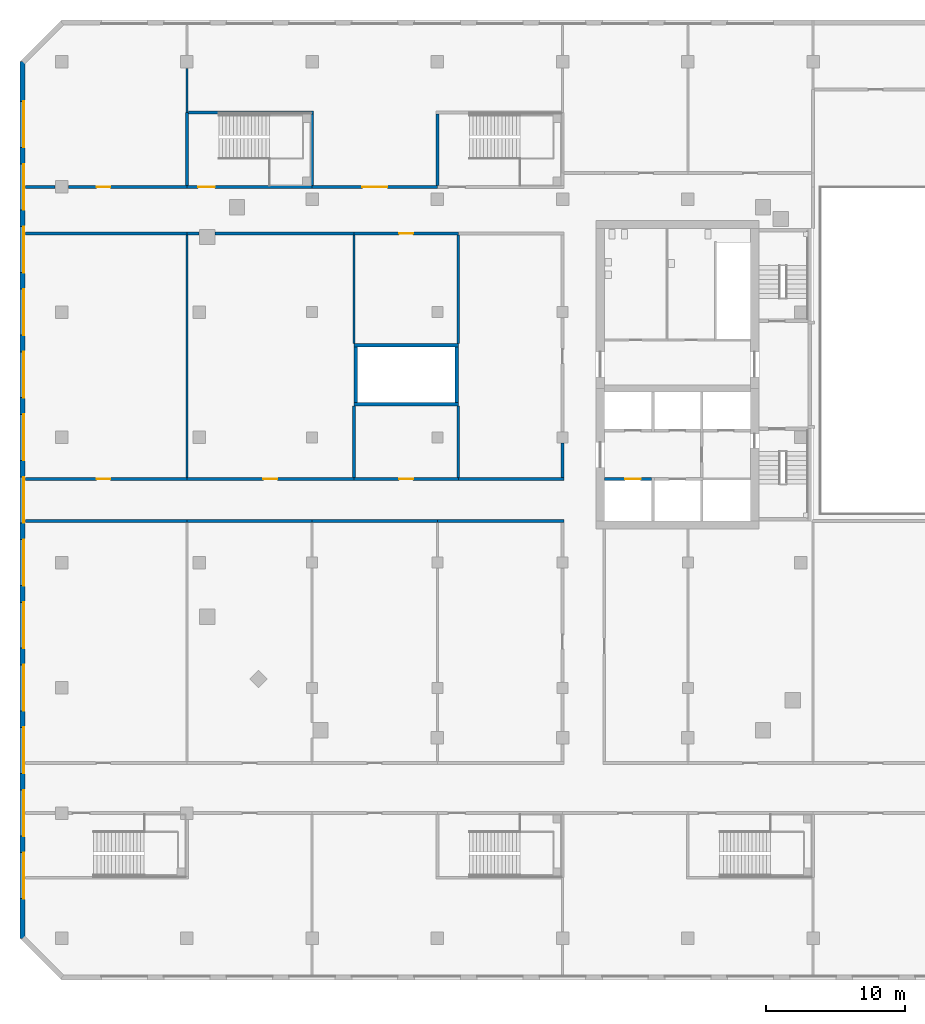
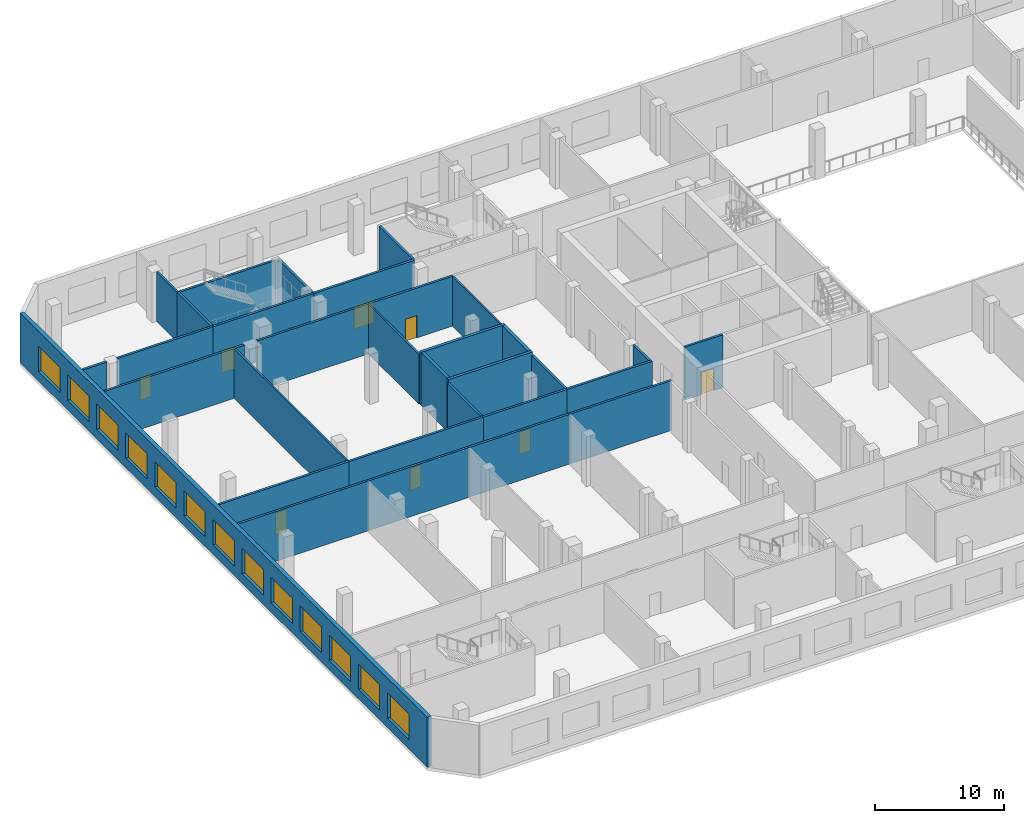
# One storey, part 5 of 21: 33 walls, 13 windows, 8 doors, 21 openings.
"""IFC4 building model written with IfcOpenShell, lengths in metres."""

from ifc_helpers import new_model, si_unit, direction, frame, frame_2d, origin, place, context, subcontext, project, spatial, rectangle, extrude, material, layer, layer_set, type_object, element, fill, save


model = new_model("IFC4")

# Units and contexts
model_context = context("Model", 3, precision=1e-05, world=origin(), true_north=direction((0.0, 1.0)))
body_context = subcontext(model_context, "Body", "Model", "MODEL_VIEW")
ifc_project = project(units=[si_unit("LENGTHUNIT", "METRE"), si_unit("AREAUNIT", "SQUARE_METRE"), si_unit("VOLUMEUNIT", "CUBIC_METRE"), si_unit("PLANEANGLEUNIT", "RADIAN"), si_unit("MASSUNIT", "GRAM", prefix="KILO")], contexts=[model_context])

# Site, building, storey
site_placement = place(None, origin())
site = spatial("IfcSite", under=ifc_project, at=site_placement, CompositionType="ELEMENT")
building_placement = place(site_placement, origin())
building = spatial("IfcBuilding", under=site, at=building_placement, Name="Cinnabar Reach Civic Tower", CompositionType="ELEMENT")
storey_placement = place(building_placement, frame((0.0, 0.0, 16.0)))
storey = spatial("IfcBuildingStorey", under=building, at=storey_placement, Name="L03", CompositionType="ELEMENT", Elevation=16.0)

# Wall, openings, windows
ifc_material_1 = material(Name="Facing brick with insulated backing", Category="masonry")
ifc_layer_1 = layer(ifc_material_1, 0.36)
ifc_layer_set_1 = layer_set([ifc_layer_1], Name="Brick pier and spandrel wall")
wall_type_1 = type_object("IfcWallType", Name="Brick pier and spandrel wall", PredefinedType="STANDARD", material=ifc_layer_set_1)
wall_1_placement = place(storey_placement, frame((-83.82, 54.0, 0.0), z_axis=(0.0, 0.0, 1.0), x_axis=(0.0, -1.0, 0.0)))
wall_1 = element("IfcWall", 1, at=wall_1_placement, inside=storey, type_object=wall_type_1, Name="Brick facade wall", PredefinedType="STANDARD", context=body_context, shape_type="SweptSolid", body=[
    extrude(rectangle(XDim=63.0, YDim=0.36, at=frame_2d((31.5, 0.0))), origin(), (0.0, 0.0, 1.0), 4.7),
])
opening_1_placement = place(wall_1_placement, frame((2.85, 0.0, 0.9)))
opening_1 = element("IfcOpeningElement", 2, at=opening_1_placement, cuts=wall_1, Name="Opening W3081", PredefinedType="OPENING", context=body_context, shape_type="SweptSolid", body=[
    extrude(rectangle(XDim=3.3, YDim=2.4, at=frame_2d((1.65, 1.2))), frame((0.0, 0.19, 0.0), z_axis=(0.0, -1.0, 0.0), x_axis=(1.0, 0.0, 0.0)), (0.0, 0.0, 1.0), 0.38),
])
opening_2_placement = place(wall_1_placement, frame((7.35, 0.0, 0.9)))
opening_2 = element("IfcOpeningElement", 3, at=opening_2_placement, cuts=wall_1, Name="Opening W3082", PredefinedType="OPENING", context=body_context, shape_type="SweptSolid", body=[
    extrude(rectangle(XDim=3.3, YDim=2.4, at=frame_2d((1.65, 1.2))), frame((0.0, 0.19, 0.0), z_axis=(0.0, -1.0, 0.0), x_axis=(1.0, 0.0, 0.0)), (0.0, 0.0, 1.0), 0.38),
])
opening_3_placement = place(wall_1_placement, frame((11.85, 0.0, 0.9)))
opening_3 = element("IfcOpeningElement", 4, at=opening_3_placement, cuts=wall_1, Name="Opening W3083", PredefinedType="OPENING", context=body_context, shape_type="SweptSolid", body=[
    extrude(rectangle(XDim=3.3, YDim=2.4, at=frame_2d((1.65, 1.2))), frame((0.0, 0.19, 0.0), z_axis=(0.0, -1.0, 0.0), x_axis=(1.0, 0.0, 0.0)), (0.0, 0.0, 1.0), 0.38),
])
opening_4_placement = place(wall_1_placement, frame((16.35, 0.0, 0.9)))
opening_4 = element("IfcOpeningElement", 5, at=opening_4_placement, cuts=wall_1, Name="Opening W3084", PredefinedType="OPENING", context=body_context, shape_type="SweptSolid", body=[
    extrude(rectangle(XDim=3.3, YDim=2.4, at=frame_2d((1.65, 1.2))), frame((0.0, 0.19, 0.0), z_axis=(0.0, -1.0, 0.0), x_axis=(1.0, 0.0, 0.0)), (0.0, 0.0, 1.0), 0.38),
])
opening_5_placement = place(wall_1_placement, frame((20.85, 0.0, 0.9)))
opening_5 = element("IfcOpeningElement", 6, at=opening_5_placement, cuts=wall_1, Name="Opening W3085", PredefinedType="OPENING", context=body_context, shape_type="SweptSolid", body=[
    extrude(rectangle(XDim=3.3, YDim=2.4, at=frame_2d((1.65, 1.2))), frame((0.0, 0.19, 0.0), z_axis=(0.0, -1.0, 0.0), x_axis=(1.0, 0.0, 0.0)), (0.0, 0.0, 1.0), 0.38),
])
opening_6_placement = place(wall_1_placement, frame((25.35, 0.0, 0.9)))
opening_6 = element("IfcOpeningElement", 7, at=opening_6_placement, cuts=wall_1, Name="Opening W3086", PredefinedType="OPENING", context=body_context, shape_type="SweptSolid", body=[
    extrude(rectangle(XDim=3.3, YDim=2.4, at=frame_2d((1.65, 1.2))), frame((0.0, 0.19, 0.0), z_axis=(0.0, -1.0, 0.0), x_axis=(1.0, 0.0, 0.0)), (0.0, 0.0, 1.0), 0.38),
])
opening_7_placement = place(wall_1_placement, frame((29.85, 0.0, 0.9)))
opening_7 = element("IfcOpeningElement", 8, at=opening_7_placement, cuts=wall_1, Name="Opening W3087", PredefinedType="OPENING", context=body_context, shape_type="SweptSolid", body=[
    extrude(rectangle(XDim=3.3, YDim=2.4, at=frame_2d((1.65, 1.2))), frame((0.0, 0.19, 0.0), z_axis=(0.0, -1.0, 0.0), x_axis=(1.0, 0.0, 0.0)), (0.0, 0.0, 1.0), 0.38),
])
opening_8_placement = place(wall_1_placement, frame((34.35, 0.0, 0.9)))
opening_8 = element("IfcOpeningElement", 9, at=opening_8_placement, cuts=wall_1, Name="Opening W3088", PredefinedType="OPENING", context=body_context, shape_type="SweptSolid", body=[
    extrude(rectangle(XDim=3.3, YDim=2.4, at=frame_2d((1.65, 1.2))), frame((0.0, 0.19, 0.0), z_axis=(0.0, -1.0, 0.0), x_axis=(1.0, 0.0, 0.0)), (0.0, 0.0, 1.0), 0.38),
])
opening_9_placement = place(wall_1_placement, frame((38.85, 0.0, 0.9)))
opening_9 = element("IfcOpeningElement", 10, at=opening_9_placement, cuts=wall_1, Name="Opening W3089", PredefinedType="OPENING", context=body_context, shape_type="SweptSolid", body=[
    extrude(rectangle(XDim=3.3, YDim=2.4, at=frame_2d((1.65, 1.2))), frame((0.0, 0.19, 0.0), z_axis=(0.0, -1.0, 0.0), x_axis=(1.0, 0.0, 0.0)), (0.0, 0.0, 1.0), 0.38),
])
opening_10_placement = place(wall_1_placement, frame((43.35, 0.0, 0.9)))
opening_10 = element("IfcOpeningElement", 11, at=opening_10_placement, cuts=wall_1, Name="Opening W3090", PredefinedType="OPENING", context=body_context, shape_type="SweptSolid", body=[
    extrude(rectangle(XDim=3.3, YDim=2.4, at=frame_2d((1.65, 1.2))), frame((0.0, 0.19, 0.0), z_axis=(0.0, -1.0, 0.0), x_axis=(1.0, 0.0, 0.0)), (0.0, 0.0, 1.0), 0.38),
])
opening_11_placement = place(wall_1_placement, frame((47.85, 0.0, 0.9)))
opening_11 = element("IfcOpeningElement", 12, at=opening_11_placement, cuts=wall_1, Name="Opening W3091", PredefinedType="OPENING", context=body_context, shape_type="SweptSolid", body=[
    extrude(rectangle(XDim=3.3, YDim=2.4, at=frame_2d((1.65, 1.2))), frame((0.0, 0.19, 0.0), z_axis=(0.0, -1.0, 0.0), x_axis=(1.0, 0.0, 0.0)), (0.0, 0.0, 1.0), 0.38),
])
opening_12_placement = place(wall_1_placement, frame((52.35, 0.0, 0.9)))
opening_12 = element("IfcOpeningElement", 13, at=opening_12_placement, cuts=wall_1, Name="Opening W3092", PredefinedType="OPENING", context=body_context, shape_type="SweptSolid", body=[
    extrude(rectangle(XDim=3.3, YDim=2.4, at=frame_2d((1.65, 1.2))), frame((0.0, 0.19, 0.0), z_axis=(0.0, -1.0, 0.0), x_axis=(1.0, 0.0, 0.0)), (0.0, 0.0, 1.0), 0.38),
])
opening_13_placement = place(wall_1_placement, frame((56.85, 0.0, 0.9)))
opening_13 = element("IfcOpeningElement", 14, at=opening_13_placement, cuts=wall_1, Name="Opening W3093", PredefinedType="OPENING", context=body_context, shape_type="SweptSolid", body=[
    extrude(rectangle(XDim=3.3, YDim=2.4, at=frame_2d((1.65, 1.2))), frame((0.0, 0.19, 0.0), z_axis=(0.0, -1.0, 0.0), x_axis=(1.0, 0.0, 0.0)), (0.0, 0.0, 1.0), 0.38),
])
ifc_material_2 = material(Name="Clear double glazing in aluminium frame", Category="aluminium")
window_type = type_object("IfcWindowType", Name="Podium window P", PartitioningType="SINGLE_PANEL", PredefinedType="WINDOW", material=ifc_material_2)
window_1_placement = place(opening_1_placement, origin())
window_1 = element("IfcWindow", 15, at=window_1_placement, inside=storey, type_object=window_type, Name="Window west face", OverallHeight=2.4, OverallWidth=3.3, PartitioningType="SINGLE_PANEL", PredefinedType="WINDOW", context=body_context, shape_type="SweptSolid", body=[
    extrude(rectangle(XDim=3.3, YDim=2.4, at=frame_2d((1.65, 1.2))), frame((0.0, 0.13, 0.0), z_axis=(0.0, -1.0, 0.0), x_axis=(1.0, 0.0, 0.0)), (0.0, 0.0, 1.0), 0.06),
])
fill(opening_1, window_1)
window_2_placement = place(opening_2_placement, origin())
window_2 = element("IfcWindow", 16, at=window_2_placement, inside=storey, type_object=window_type, Name="Window west face", OverallHeight=2.4, OverallWidth=3.3, PartitioningType="SINGLE_PANEL", PredefinedType="WINDOW", context=body_context, shape_type="SweptSolid", body=[
    extrude(rectangle(XDim=3.3, YDim=2.4, at=frame_2d((1.65, 1.2))), frame((0.0, 0.13, 0.0), z_axis=(0.0, -1.0, 0.0), x_axis=(1.0, 0.0, 0.0)), (0.0, 0.0, 1.0), 0.06),
])
fill(opening_2, window_2)
window_3_placement = place(opening_3_placement, origin())
window_3 = element("IfcWindow", 17, at=window_3_placement, inside=storey, type_object=window_type, Name="Window west face", OverallHeight=2.4, OverallWidth=3.3, PartitioningType="SINGLE_PANEL", PredefinedType="WINDOW", context=body_context, shape_type="SweptSolid", body=[
    extrude(rectangle(XDim=3.3, YDim=2.4, at=frame_2d((1.65, 1.2))), frame((0.0, 0.13, 0.0), z_axis=(0.0, -1.0, 0.0), x_axis=(1.0, 0.0, 0.0)), (0.0, 0.0, 1.0), 0.06),
])
fill(opening_3, window_3)
window_4_placement = place(opening_4_placement, origin())
window_4 = element("IfcWindow", 18, at=window_4_placement, inside=storey, type_object=window_type, Name="Window west face", OverallHeight=2.4, OverallWidth=3.3, PartitioningType="SINGLE_PANEL", PredefinedType="WINDOW", context=body_context, shape_type="SweptSolid", body=[
    extrude(rectangle(XDim=3.3, YDim=2.4, at=frame_2d((1.65, 1.2))), frame((0.0, 0.13, 0.0), z_axis=(0.0, -1.0, 0.0), x_axis=(1.0, 0.0, 0.0)), (0.0, 0.0, 1.0), 0.06),
])
fill(opening_4, window_4)
window_5_placement = place(opening_5_placement, origin())
window_5 = element("IfcWindow", 19, at=window_5_placement, inside=storey, type_object=window_type, Name="Window west face", OverallHeight=2.4, OverallWidth=3.3, PartitioningType="SINGLE_PANEL", PredefinedType="WINDOW", context=body_context, shape_type="SweptSolid", body=[
    extrude(rectangle(XDim=3.3, YDim=2.4, at=frame_2d((1.65, 1.2))), frame((0.0, 0.13, 0.0), z_axis=(0.0, -1.0, 0.0), x_axis=(1.0, 0.0, 0.0)), (0.0, 0.0, 1.0), 0.06),
])
fill(opening_5, window_5)
window_6_placement = place(opening_6_placement, origin())
window_6 = element("IfcWindow", 20, at=window_6_placement, inside=storey, type_object=window_type, Name="Window west face", OverallHeight=2.4, OverallWidth=3.3, PartitioningType="SINGLE_PANEL", PredefinedType="WINDOW", context=body_context, shape_type="SweptSolid", body=[
    extrude(rectangle(XDim=3.3, YDim=2.4, at=frame_2d((1.65, 1.2))), frame((0.0, 0.13, 0.0), z_axis=(0.0, -1.0, 0.0), x_axis=(1.0, 0.0, 0.0)), (0.0, 0.0, 1.0), 0.06),
])
fill(opening_6, window_6)
window_7_placement = place(opening_7_placement, origin())
window_7 = element("IfcWindow", 21, at=window_7_placement, inside=storey, type_object=window_type, Name="Window west face", OverallHeight=2.4, OverallWidth=3.3, PartitioningType="SINGLE_PANEL", PredefinedType="WINDOW", context=body_context, shape_type="SweptSolid", body=[
    extrude(rectangle(XDim=3.3, YDim=2.4, at=frame_2d((1.65, 1.2))), frame((0.0, 0.13, 0.0), z_axis=(0.0, -1.0, 0.0), x_axis=(1.0, 0.0, 0.0)), (0.0, 0.0, 1.0), 0.06),
])
fill(opening_7, window_7)
window_8_placement = place(opening_8_placement, origin())
window_8 = element("IfcWindow", 22, at=window_8_placement, inside=storey, type_object=window_type, Name="Window west face", OverallHeight=2.4, OverallWidth=3.3, PartitioningType="SINGLE_PANEL", PredefinedType="WINDOW", context=body_context, shape_type="SweptSolid", body=[
    extrude(rectangle(XDim=3.3, YDim=2.4, at=frame_2d((1.65, 1.2))), frame((0.0, 0.13, 0.0), z_axis=(0.0, -1.0, 0.0), x_axis=(1.0, 0.0, 0.0)), (0.0, 0.0, 1.0), 0.06),
])
fill(opening_8, window_8)
window_9_placement = place(opening_9_placement, origin())
window_9 = element("IfcWindow", 23, at=window_9_placement, inside=storey, type_object=window_type, Name="Window west face", OverallHeight=2.4, OverallWidth=3.3, PartitioningType="SINGLE_PANEL", PredefinedType="WINDOW", context=body_context, shape_type="SweptSolid", body=[
    extrude(rectangle(XDim=3.3, YDim=2.4, at=frame_2d((1.65, 1.2))), frame((0.0, 0.13, 0.0), z_axis=(0.0, -1.0, 0.0), x_axis=(1.0, 0.0, 0.0)), (0.0, 0.0, 1.0), 0.06),
])
fill(opening_9, window_9)
window_10_placement = place(opening_10_placement, origin())
window_10 = element("IfcWindow", 24, at=window_10_placement, inside=storey, type_object=window_type, Name="Window west face", OverallHeight=2.4, OverallWidth=3.3, PartitioningType="SINGLE_PANEL", PredefinedType="WINDOW", context=body_context, shape_type="SweptSolid", body=[
    extrude(rectangle(XDim=3.3, YDim=2.4, at=frame_2d((1.65, 1.2))), frame((0.0, 0.13, 0.0), z_axis=(0.0, -1.0, 0.0), x_axis=(1.0, 0.0, 0.0)), (0.0, 0.0, 1.0), 0.06),
])
fill(opening_10, window_10)
window_11_placement = place(opening_11_placement, origin())
window_11 = element("IfcWindow", 25, at=window_11_placement, inside=storey, type_object=window_type, Name="Window west face", OverallHeight=2.4, OverallWidth=3.3, PartitioningType="SINGLE_PANEL", PredefinedType="WINDOW", context=body_context, shape_type="SweptSolid", body=[
    extrude(rectangle(XDim=3.3, YDim=2.4, at=frame_2d((1.65, 1.2))), frame((0.0, 0.13, 0.0), z_axis=(0.0, -1.0, 0.0), x_axis=(1.0, 0.0, 0.0)), (0.0, 0.0, 1.0), 0.06),
])
fill(opening_11, window_11)
window_12_placement = place(opening_12_placement, origin())
window_12 = element("IfcWindow", 26, at=window_12_placement, inside=storey, type_object=window_type, Name="Window west face", OverallHeight=2.4, OverallWidth=3.3, PartitioningType="SINGLE_PANEL", PredefinedType="WINDOW", context=body_context, shape_type="SweptSolid", body=[
    extrude(rectangle(XDim=3.3, YDim=2.4, at=frame_2d((1.65, 1.2))), frame((0.0, 0.13, 0.0), z_axis=(0.0, -1.0, 0.0), x_axis=(1.0, 0.0, 0.0)), (0.0, 0.0, 1.0), 0.06),
])
fill(opening_12, window_12)
window_13_placement = place(opening_13_placement, origin())
window_13 = element("IfcWindow", 27, at=window_13_placement, inside=storey, type_object=window_type, Name="Window west face", OverallHeight=2.4, OverallWidth=3.3, PartitioningType="SINGLE_PANEL", PredefinedType="WINDOW", context=body_context, shape_type="SweptSolid", body=[
    extrude(rectangle(XDim=3.3, YDim=2.4, at=frame_2d((1.65, 1.2))), frame((0.0, 0.13, 0.0), z_axis=(0.0, -1.0, 0.0), x_axis=(1.0, 0.0, 0.0)), (0.0, 0.0, 1.0), 0.06),
])
fill(opening_13, window_13)

# Walls
ifc_material_3 = material(Name="Concrete blockwork", Category="masonry")
ifc_layer_2 = layer(ifc_material_3, 0.2)
ifc_layer_set_2 = layer_set([ifc_layer_2], Name="Podium masonry corridor wall 200 EI 120")
wall_type_2 = type_object("IfcWallType", Name="Podium masonry corridor wall 200 EI 120", PredefinedType="PARTITIONING", material=ifc_layer_set_2)
wall_2_placement = place(storey_placement, frame((-45.0, 24.1, 0.0), z_axis=(0.0, 0.0, 1.0), x_axis=(0.0, 1.0, 0.0)))
element("IfcWall", 28, at=wall_2_placement, inside=storey, type_object=wall_type_2, Name="Wall L03 70", PredefinedType="PARTITIONING", context=body_context, shape_type="SweptSolid", body=[
    extrude(rectangle(XDim=2.48, YDim=0.2, at=frame_2d((1.24, 0.0))), origin(), (0.0, 0.0, 1.0), 4.7),
])
wall_3_placement = place(storey_placement, frame((-83.6, 21.0, 0.0), z_axis=(0.0, 0.0, 1.0), x_axis=(1.0, 0.0, 0.0)))
element("IfcWall", 29, at=wall_3_placement, inside=storey, type_object=wall_type_2, Name="Wall L03 73", PredefinedType="PARTITIONING", context=body_context, shape_type="SweptSolid", body=[
    extrude(rectangle(XDim=11.6, YDim=0.2, at=frame_2d((5.8, 0.0))), origin(), (0.0, 0.0, 1.0), 4.7),
])
for number, where, z_axis, x_axis, name in (
    (30, (-72.0, 21.0, 0.0), (0.0, 0.0, 1.0), (1.0, 0.0, 0.0), "Wall L03 74"),
    (31, (-63.0, 21.0, 0.0), (0.0, 0.0, 1.0), (1.0, 0.0, 0.0), "Wall L03 75"),
):
    element("IfcWall", number, at=place(storey_placement, frame(where, z_axis=z_axis, x_axis=x_axis)), inside=storey, type_object=wall_type_2, Name=name, PredefinedType="PARTITIONING", context=body_context, shape_type="SweptSolid", body=[
        extrude(rectangle(XDim=9.0, YDim=0.2, at=frame_2d((4.5, 0.0))), origin(), (0.0, 0.0, 1.0), 4.7),
    ])
wall_4_placement = place(storey_placement, frame((-54.0, 21.0, 0.0), z_axis=(0.0, 0.0, 1.0), x_axis=(1.0, 0.0, 0.0)))
element("IfcWall", 32, at=wall_4_placement, inside=storey, type_object=wall_type_2, Name="Wall L03 76", PredefinedType="PARTITIONING", context=body_context, shape_type="SweptSolid", body=[
    extrude(rectangle(XDim=9.1, YDim=0.2, at=frame_2d((4.55, 0.0))), origin(), (0.0, 0.0, 1.0), 4.7),
])

# Wall, opening, door
wall_5_placement = place(storey_placement, frame((-83.6, 24.0, 0.0), z_axis=(0.0, 0.0, 1.0), x_axis=(1.0, 0.0, 0.0)))
wall_5 = element("IfcWall", 33, at=wall_5_placement, inside=storey, type_object=wall_type_2, Name="Wall L03 77", PredefinedType="PARTITIONING", context=body_context, shape_type="SweptSolid", body=[
    extrude(rectangle(XDim=11.6, YDim=0.2, at=frame_2d((5.8, 0.0))), origin(), (0.0, 0.0, 1.0), 4.7),
])
opening_14_placement = place(wall_5_placement, frame((5.1, 0.0, 0.0)))
opening_14 = element("IfcOpeningElement", 34, at=opening_14_placement, cuts=wall_5, Name="Opening D1193", PredefinedType="OPENING", context=body_context, shape_type="SweptSolid", body=[
    extrude(rectangle(XDim=1.0, YDim=2.1, at=frame_2d((0.5, 1.05))), frame((0.0, 0.11, 0.0), z_axis=(0.0, -1.0, 0.0), x_axis=(1.0, 0.0, 0.0)), (0.0, 0.0, 1.0), 0.22),
])
ifc_material_4 = material(Name="Painted steel door leaf", Category="steel")
door_type_1 = type_object("IfcDoorType", Name="Podium single door 1000x2100", OperationType="SINGLE_SWING_LEFT", PredefinedType="DOOR", material=ifc_material_4)
door_1_placement = place(opening_14_placement, origin())
door_1 = element("IfcDoor", 35, at=door_1_placement, inside=storey, type_object=door_type_1, Name="Door D1193", OperationType="SINGLE_SWING_RIGHT", OverallHeight=2.1, OverallWidth=1.0, PredefinedType="DOOR", context=body_context, shape_type="SweptSolid", body=[
    extrude(rectangle(XDim=1.0, YDim=2.1, at=frame_2d((0.5, 1.05))), frame((0.0, 0.025, 0.0), z_axis=(0.0, -1.0, 0.0), x_axis=(1.0, 0.0, 0.0)), (0.0, 0.0, 1.0), 0.05),
])
fill(opening_14, door_1)

wall_6_placement = place(storey_placement, frame((-72.0, 24.0, 0.0), z_axis=(0.0, 0.0, 1.0), x_axis=(1.0, 0.0, 0.0)))
wall_6 = element("IfcWall", 36, at=wall_6_placement, inside=storey, type_object=wall_type_2, Name="Wall L03 78", PredefinedType="PARTITIONING", context=body_context, shape_type="SweptSolid", body=[
    extrude(rectangle(XDim=12.0, YDim=0.2, at=frame_2d((6.0, 0.0))), origin(), (0.0, 0.0, 1.0), 4.7),
])
opening_15_placement = place(wall_6_placement, frame((5.5, 0.0, 0.0)))
opening_15 = element("IfcOpeningElement", 37, at=opening_15_placement, cuts=wall_6, Name="Opening D1194", PredefinedType="OPENING", context=body_context, shape_type="SweptSolid", body=[
    extrude(rectangle(XDim=1.0, YDim=2.1, at=frame_2d((0.5, 1.05))), frame((0.0, 0.11, 0.0), z_axis=(0.0, -1.0, 0.0), x_axis=(1.0, 0.0, 0.0)), (0.0, 0.0, 1.0), 0.22),
])
door_2_placement = place(opening_15_placement, origin())
door_2 = element("IfcDoor", 38, at=door_2_placement, inside=storey, type_object=door_type_1, Name="Door D1194", OperationType="SINGLE_SWING_RIGHT", OverallHeight=2.1, OverallWidth=1.0, PredefinedType="DOOR", context=body_context, shape_type="SweptSolid", body=[
    extrude(rectangle(XDim=1.0, YDim=2.1, at=frame_2d((0.5, 1.05))), frame((0.0, 0.025, 0.0), z_axis=(0.0, -1.0, 0.0), x_axis=(1.0, 0.0, 0.0)), (0.0, 0.0, 1.0), 0.05),
])
fill(opening_15, door_2)

wall_7_placement = place(storey_placement, frame((-60.0, 24.0, 0.0), z_axis=(0.0, 0.0, 1.0), x_axis=(1.0, 0.0, 0.0)))
wall_7 = element("IfcWall", 39, at=wall_7_placement, inside=storey, type_object=wall_type_2, Name="Wall L03 79", PredefinedType="PARTITIONING", context=body_context, shape_type="SweptSolid", body=[
    extrude(rectangle(XDim=7.5, YDim=0.2, at=frame_2d((3.75, 0.0))), origin(), (0.0, 0.0, 1.0), 4.7),
])
opening_16_placement = place(wall_7_placement, frame((3.25, 0.0, 0.0)))
opening_16 = element("IfcOpeningElement", 40, at=opening_16_placement, cuts=wall_7, Name="Opening D1195", PredefinedType="OPENING", context=body_context, shape_type="SweptSolid", body=[
    extrude(rectangle(XDim=1.0, YDim=2.1, at=frame_2d((0.5, 1.05))), frame((0.0, 0.11, 0.0), z_axis=(0.0, -1.0, 0.0), x_axis=(1.0, 0.0, 0.0)), (0.0, 0.0, 1.0), 0.22),
])
door_3_placement = place(opening_16_placement, origin())
door_3 = element("IfcDoor", 41, at=door_3_placement, inside=storey, type_object=door_type_1, Name="Door D1195", OperationType="SINGLE_SWING_RIGHT", OverallHeight=2.1, OverallWidth=1.0, PredefinedType="DOOR", context=body_context, shape_type="SweptSolid", body=[
    extrude(rectangle(XDim=1.0, YDim=2.1, at=frame_2d((0.5, 1.05))), frame((0.0, 0.025, 0.0), z_axis=(0.0, -1.0, 0.0), x_axis=(1.0, 0.0, 0.0)), (0.0, 0.0, 1.0), 0.05),
])
fill(opening_16, door_3)

# Walls
wall_8_placement = place(storey_placement, frame((-52.5, 24.0, 0.0), z_axis=(0.0, 0.0, 1.0), x_axis=(1.0, 0.0, 0.0)))
element("IfcWall", 42, at=wall_8_placement, inside=storey, type_object=wall_type_2, Name="Wall L03 80", PredefinedType="PARTITIONING", context=body_context, shape_type="SweptSolid", body=[
    extrude(rectangle(XDim=7.6, YDim=0.2, at=frame_2d((3.8, 0.0))), origin(), (0.0, 0.0, 1.0), 4.7),
])
wall_9_placement = place(storey_placement, frame((-83.6, 41.65, 0.0), z_axis=(0.0, 0.0, 1.0), x_axis=(1.0, 0.0, 0.0)))
element("IfcWall", 43, at=wall_9_placement, inside=storey, type_object=wall_type_2, Name="Wall L03 81", PredefinedType="PARTITIONING", context=body_context, shape_type="SweptSolid", body=[
    extrude(rectangle(XDim=11.6, YDim=0.2, at=frame_2d((5.8, 0.0))), origin(), (0.0, 0.0, 1.0), 4.7),
])
wall_10_placement = place(storey_placement, frame((-72.0, 41.65, 0.0), z_axis=(0.0, 0.0, 1.0), x_axis=(1.0, 0.0, 0.0)))
element("IfcWall", 44, at=wall_10_placement, inside=storey, type_object=wall_type_2, Name="Wall L03 82", PredefinedType="PARTITIONING", context=body_context, shape_type="SweptSolid", body=[
    extrude(rectangle(XDim=0.8831, YDim=0.2, at=frame_2d((0.4415, 0.0))), origin(), (0.0, 0.0, 1.0), 4.7),
])
wall_11_placement = place(storey_placement, frame((-69.9769, 41.65, 0.0), z_axis=(0.0, 0.0, 1.0), x_axis=(1.0, 0.0, 0.0)))
element("IfcWall", 45, at=wall_11_placement, inside=storey, type_object=wall_type_2, Name="Wall L03 83", PredefinedType="PARTITIONING", context=body_context, shape_type="SweptSolid", body=[
    extrude(rectangle(XDim=9.9769, YDim=0.2, at=frame_2d((4.9885, 0.0))), origin(), (0.0, 0.0, 1.0), 4.7),
])

# Wall, opening, door
wall_12_placement = place(storey_placement, frame((-60.0, 41.65, 0.0), z_axis=(0.0, 0.0, 1.0), x_axis=(1.0, 0.0, 0.0)))
wall_12 = element("IfcWall", 46, at=wall_12_placement, inside=storey, type_object=wall_type_2, Name="Wall L03 84", PredefinedType="PARTITIONING", context=body_context, shape_type="SweptSolid", body=[
    extrude(rectangle(XDim=7.5, YDim=0.2, at=frame_2d((3.75, 0.0))), origin(), (0.0, 0.0, 1.0), 4.7),
])
opening_17_placement = place(wall_12_placement, frame((3.25, 0.0, 0.0)))
opening_17 = element("IfcOpeningElement", 47, at=opening_17_placement, cuts=wall_12, Name="Opening D1196", PredefinedType="OPENING", context=body_context, shape_type="SweptSolid", body=[
    extrude(rectangle(XDim=1.0, YDim=2.1, at=frame_2d((0.5, 1.05))), frame((0.0, 0.11, 0.0), z_axis=(0.0, -1.0, 0.0), x_axis=(1.0, 0.0, 0.0)), (0.0, 0.0, 1.0), 0.22),
])
door_4_placement = place(opening_17_placement, frame((1.0, 0.0, 0.0), z_axis=(0.0, 0.0, 1.0), x_axis=(-1.0, 0.0, 0.0)))
door_4 = element("IfcDoor", 48, at=door_4_placement, inside=storey, type_object=door_type_1, Name="Door D1196", OperationType="SINGLE_SWING_LEFT", OverallHeight=2.1, OverallWidth=1.0, PredefinedType="DOOR", context=body_context, shape_type="SweptSolid", body=[
    extrude(rectangle(XDim=1.0, YDim=2.1, at=frame_2d((0.5, 1.05))), frame((0.0, 0.025, 0.0), z_axis=(0.0, -1.0, 0.0), x_axis=(1.0, 0.0, 0.0)), (0.0, 0.0, 1.0), 0.05),
])
fill(opening_17, door_4)

# Wall
wall_13_placement = place(storey_placement, frame((-83.6, 45.0, 0.0), z_axis=(0.0, 0.0, 1.0), x_axis=(1.0, 0.0, 0.0)))
element("IfcWall", 49, at=wall_13_placement, inside=storey, type_object=wall_type_2, Name="Wall L03 86", PredefinedType="PARTITIONING", context=body_context, shape_type="SweptSolid", body=[
    extrude(rectangle(XDim=2.13, YDim=0.2, at=frame_2d((1.065, 0.0))), origin(), (0.0, 0.0, 1.0), 4.7),
])

# Wall, opening, door
wall_14_placement = place(storey_placement, frame((-80.53, 45.0, 0.0), z_axis=(0.0, 0.0, 1.0), x_axis=(1.0, 0.0, 0.0)))
wall_14 = element("IfcWall", 50, at=wall_14_placement, inside=storey, type_object=wall_type_2, Name="Wall L03 87", PredefinedType="PARTITIONING", context=body_context, shape_type="SweptSolid", body=[
    extrude(rectangle(XDim=8.53, YDim=0.2, at=frame_2d((4.265, 0.0))), origin(), (0.0, 0.0, 1.0), 4.7),
])
opening_18_placement = place(wall_14_placement, frame((2.03, 0.0, 0.0)))
opening_18 = element("IfcOpeningElement", 51, at=opening_18_placement, cuts=wall_14, Name="Opening D1204", PredefinedType="OPENING", context=body_context, shape_type="SweptSolid", body=[
    extrude(rectangle(XDim=1.0, YDim=2.1, at=frame_2d((0.5, 1.05))), frame((0.0, 0.11, 0.0), z_axis=(0.0, -1.0, 0.0), x_axis=(1.0, 0.0, 0.0)), (0.0, 0.0, 1.0), 0.22),
])
door_5_placement = place(opening_18_placement, origin())
door_5 = element("IfcDoor", 52, at=door_5_placement, inside=storey, type_object=door_type_1, Name="Door D1204", OperationType="SINGLE_SWING_LEFT", OverallHeight=2.1, OverallWidth=1.0, PredefinedType="DOOR", context=body_context, shape_type="SweptSolid", body=[
    extrude(rectangle(XDim=1.0, YDim=2.1, at=frame_2d((0.5, 1.05))), frame((0.0, 0.025, 0.0), z_axis=(0.0, -1.0, 0.0), x_axis=(1.0, 0.0, 0.0)), (0.0, 0.0, 1.0), 0.05),
])
fill(opening_18, door_5)

wall_15_placement = place(storey_placement, frame((-63.0, 45.0, 0.0), z_axis=(0.0, 0.0, 1.0), x_axis=(1.0, 0.0, 0.0)))
wall_15 = element("IfcWall", 53, at=wall_15_placement, inside=storey, type_object=wall_type_2, Name="Wall L03 88", PredefinedType="PARTITIONING", context=body_context, shape_type="SweptSolid", body=[
    extrude(rectangle(XDim=9.0, YDim=0.2, at=frame_2d((4.5, 0.0))), origin(), (0.0, 0.0, 1.0), 4.7),
])
opening_19_placement = place(wall_15_placement, frame((3.6, 0.0, 0.0)))
opening_19 = element("IfcOpeningElement", 54, at=opening_19_placement, cuts=wall_15, Name="Opening D1205", PredefinedType="OPENING", context=body_context, shape_type="SweptSolid", body=[
    extrude(rectangle(XDim=1.8, YDim=2.1, at=frame_2d((0.9, 1.05))), frame((0.0, 0.11, 0.0), z_axis=(0.0, -1.0, 0.0), x_axis=(1.0, 0.0, 0.0)), (0.0, 0.0, 1.0), 0.22),
])
door_type_2 = type_object("IfcDoorType", Name="Podium double door 1800x2100", OperationType="DOUBLE_DOOR_SINGLE_SWING", PredefinedType="DOOR", material=ifc_material_4)
door_6_placement = place(opening_19_placement, origin())
door_6 = element("IfcDoor", 55, at=door_6_placement, inside=storey, type_object=door_type_2, Name="Door D1205", OperationType="DOUBLE_DOOR_SINGLE_SWING", OverallHeight=2.1, OverallWidth=1.8, PredefinedType="DOOR", context=body_context, shape_type="SweptSolid", body=[
    extrude(rectangle(XDim=1.8, YDim=2.1, at=frame_2d((0.9, 1.05))), frame((0.0, 0.025, 0.0), z_axis=(0.0, -1.0, 0.0), x_axis=(1.0, 0.0, 0.0)), (0.0, 0.0, 1.0), 0.05),
])
fill(opening_19, door_6)

# Walls
for number, where, z_axis, x_axis, name in (
    (56, (-60.0, 24.1, 0.0), (0.0, 0.0, 1.0), (0.0, 1.0, 0.0), "Wall L03 201"),
    (57, (-52.5, 24.1, 0.0), (0.0, 0.0, 1.0), (0.0, 1.0, 0.0), "Wall L03 203"),
):
    element("IfcWall", number, at=place(storey_placement, frame(where, z_axis=z_axis, x_axis=x_axis)), inside=storey, type_object=wall_type_2, Name=name, PredefinedType="PARTITIONING", context=body_context, shape_type="SweptSolid", body=[
        extrude(rectangle(XDim=5.15, YDim=0.2, at=frame_2d((2.575, 0.0))), origin(), (0.0, 0.0, 1.0), 4.7),
    ])
ifc_material_5 = material(Name="Gypsum board on steel studs", Category="steel")
ifc_layer_3 = layer(ifc_material_5, 0.15)
ifc_layer_set_3 = layer_set([ifc_layer_3], Name="Podium partition wall 150 EI 90")
wall_type_3 = type_object("IfcWallType", Name="Podium partition wall 150 EI 90", PredefinedType="PARTITIONING", material=ifc_layer_set_3)
wall_16_placement = place(storey_placement, frame((-72.0, 24.1, 0.0), z_axis=(0.0, 0.0, 1.0), x_axis=(0.0, 1.0, 0.0)))
element("IfcWall", 58, at=wall_16_placement, inside=storey, type_object=wall_type_3, Name="Wall L03 200", PredefinedType="PARTITIONING", context=body_context, shape_type="SweptSolid", body=[
    extrude(rectangle(XDim=17.45, YDim=0.15, at=frame_2d((8.725, 0.0))), origin(), (0.0, 0.0, 1.0), 4.7),
])
for number, where, z_axis, x_axis, name in (
    (59, (-60.0, 33.75, 0.0), (0.0, 0.0, 1.0), (0.0, 1.0, 0.0), "Wall L03 202"),
    (60, (-52.5, 33.75, 0.0), (0.0, 0.0, 1.0), (0.0, 1.0, 0.0), "Wall L03 204"),
):
    element("IfcWall", number, at=place(storey_placement, frame(where, z_axis=z_axis, x_axis=x_axis)), inside=storey, type_object=wall_type_3, Name=name, PredefinedType="PARTITIONING", context=body_context, shape_type="SweptSolid", body=[
        extrude(rectangle(XDim=7.8, YDim=0.15, at=frame_2d((3.9, 0.0))), origin(), (0.0, 0.0, 1.0), 4.7),
    ])
wall_17_placement = place(storey_placement, frame((-72.0, 50.35, 0.0), z_axis=(0.0, 0.0, 1.0), x_axis=(0.0, 1.0, 0.0)))
element("IfcWall", 61, at=wall_17_placement, inside=storey, type_object=wall_type_3, Name="Wall L03 212", PredefinedType="PARTITIONING", context=body_context, shape_type="SweptSolid", body=[
    extrude(rectangle(XDim=3.18, YDim=0.15, at=frame_2d((1.59, 0.0))), origin(), (0.0, 0.0, 1.0), 4.7),
])

# Wall, opening, door
ifc_material_6 = material(Name="Concrete C40", Category="concrete")
ifc_layer_4 = layer(ifc_material_6, 0.2)
ifc_layer_set_4 = layer_set([ifc_layer_4], Name="Podium stair shaft wall 200 EI 120")
wall_type_4 = type_object("IfcWallType", Name="Podium stair shaft wall 200 EI 120", PredefinedType="SOLIDWALL", material=ifc_layer_set_4)
wall_18_placement = place(storey_placement, frame((-72.0, 45.0, 0.0), z_axis=(0.0, 0.0, 1.0), x_axis=(1.0, 0.0, 0.0)))
wall_18 = element("IfcWall", 62, at=wall_18_placement, inside=storey, type_object=wall_type_4, Name="Wall L03 5", PredefinedType="SOLIDWALL", context=body_context, shape_type="SweptSolid", body=[
    extrude(rectangle(XDim=9.0, YDim=0.2, at=frame_2d((4.5, 0.0))), origin(), (0.0, 0.0, 1.0), 4.7),
])
opening_20_placement = place(wall_18_placement, frame((0.8, 0.0, 0.0)))
opening_20 = element("IfcOpeningElement", 63, at=opening_20_placement, cuts=wall_18, Name="Opening D1214", PredefinedType="OPENING", context=body_context, shape_type="SweptSolid", body=[
    extrude(rectangle(XDim=1.2, YDim=2.1, at=frame_2d((0.6, 1.05))), frame((0.0, 0.11, 0.0), z_axis=(0.0, -1.0, 0.0), x_axis=(1.0, 0.0, 0.0)), (0.0, 0.0, 1.0), 0.22),
])
door_type_3 = type_object("IfcDoorType", Name="Podium single door 1200x2100", OperationType="SINGLE_SWING_LEFT", PredefinedType="DOOR", material=ifc_material_4)
door_7_placement = place(opening_20_placement, origin())
door_7 = element("IfcDoor", 64, at=door_7_placement, inside=storey, type_object=door_type_3, Name="Door D1214", OperationType="SINGLE_SWING_LEFT", OverallHeight=2.1, OverallWidth=1.2, PredefinedType="DOOR", context=body_context, shape_type="SweptSolid", body=[
    extrude(rectangle(XDim=1.2, YDim=2.1, at=frame_2d((0.6, 1.05))), frame((0.0, 0.025, 0.0), z_axis=(0.0, -1.0, 0.0), x_axis=(1.0, 0.0, 0.0)), (0.0, 0.0, 1.0), 0.05),
])
fill(opening_20, door_7)

# Walls
wall_19_placement = place(storey_placement, frame((-72.0, 45.1, 0.0), z_axis=(0.0, 0.0, 1.0), x_axis=(0.0, 1.0, 0.0)))
element("IfcWall", 65, at=wall_19_placement, inside=storey, type_object=wall_type_4, Name="Wall L03 6", PredefinedType="SOLIDWALL", context=body_context, shape_type="SweptSolid", body=[
    extrude(rectangle(XDim=5.25, YDim=0.2, at=frame_2d((2.625, 0.0))), origin(), (0.0, 0.0, 1.0), 4.7),
])
wall_20_placement = place(storey_placement, frame((-71.9, 50.35, 0.0), z_axis=(0.0, 0.0, 1.0), x_axis=(1.0, 0.0, 0.0)))
element("IfcWall", 66, at=wall_20_placement, inside=storey, type_object=wall_type_4, Name="Wall L03 7", PredefinedType="SOLIDWALL", context=body_context, shape_type="SweptSolid", body=[
    extrude(rectangle(XDim=9.0, YDim=0.2, at=frame_2d((4.5, 0.0))), origin(), (0.0, 0.0, 1.0), 4.7),
])
for number, where, z_axis, x_axis, name in (
    (67, (-63.0, 45.1, 0.0), (0.0, 0.0, 1.0), (0.0, 1.0, 0.0), "Wall L03 8"),
    (68, (-54.0, 45.1, 0.0), (0.0, 0.0, 1.0), (0.0, 1.0, 0.0), "Wall L03 31"),
):
    element("IfcWall", number, at=place(storey_placement, frame(where, z_axis=z_axis, x_axis=x_axis)), inside=storey, type_object=wall_type_4, Name=name, PredefinedType="SOLIDWALL", context=body_context, shape_type="SweptSolid", body=[
        extrude(rectangle(XDim=5.15, YDim=0.2, at=frame_2d((2.575, 0.0))), origin(), (0.0, 0.0, 1.0), 4.7),
    ])
ifc_material_7 = material(Name="Concrete C60", Category="concrete")
ifc_layer_5 = layer(ifc_material_7, 0.25)
ifc_layer_set_5 = layer_set([ifc_layer_5], Name="Stair shaft wall 250 EI 120")
wall_type_5 = type_object("IfcWallType", Name="Stair shaft wall 250 EI 120", PredefinedType="SOLIDWALL", material=ifc_layer_set_5)
for number, where, z_axis, x_axis, name in (
    (69, (-60.0, 29.375, 0.0), (0.0, 0.0, 1.0), (1.0, 0.0, 0.0), "Stair shaft wall T2-S3 L03"),
    (70, (-52.5, 33.625, 0.0), (0.0, 0.0, 1.0), (-1.0, 0.0, 0.0), "Stair shaft wall T2-S3 L03"),
):
    element("IfcWall", number, at=place(storey_placement, frame(where, z_axis=z_axis, x_axis=x_axis)), inside=storey, type_object=wall_type_5, Name=name, PredefinedType="SOLIDWALL", context=body_context, shape_type="SweptSolid", body=[
        extrude(rectangle(XDim=7.5, YDim=0.25, at=frame_2d((3.75, 0.0))), origin(), (0.0, 0.0, 1.0), 5.0),
    ])
for number, where, z_axis, x_axis, name in (
    (71, (-52.625, 29.5, 0.0), (0.0, 0.0, 1.0), (0.0, 1.0, 0.0), "Stair shaft wall T2-S3 L03"),
    (72, (-59.875, 33.5, 0.0), (0.0, 0.0, 1.0), (0.0, -1.0, 0.0), "Stair shaft wall T2-S3 L03"),
):
    element("IfcWall", number, at=place(storey_placement, frame(where, z_axis=z_axis, x_axis=x_axis)), inside=storey, type_object=wall_type_5, Name=name, PredefinedType="SOLIDWALL", context=body_context, shape_type="SweptSolid", body=[
        extrude(rectangle(XDim=4.0, YDim=0.25, at=frame_2d((2.0, 0.0))), origin(), (0.0, 0.0, 1.0), 5.0),
    ])

# Wall, opening, door
ifc_layer_6 = layer(ifc_material_6, 0.2)
ifc_layer_set_6 = layer_set([ifc_layer_6], Name="T2 Shaft wall 200")
wall_type_6 = type_object("IfcWallType", Name="T2 Shaft wall 200", PredefinedType="SOLIDWALL", material=ifc_layer_set_6)
wall_21_placement = place(storey_placement, frame((-38.6, 24.0, 0.0), z_axis=(0.0, 0.0, 1.0), x_axis=(-1.0, 0.0, 0.0)))
wall_21 = element("IfcWall", 73, at=wall_21_placement, inside=storey, type_object=wall_type_6, Name="T2 Shaft wall L03 002", PredefinedType="SOLIDWALL", context=body_context, shape_type="SweptSolid", body=[
    extrude(rectangle(XDim=3.4, YDim=0.2, at=frame_2d((1.7, 0.0))), origin(), (0.0, 0.0, 1.0), 5.0),
])
opening_21_placement = place(wall_21_placement, frame((0.8, 0.0, 0.0)))
opening_21 = element("IfcOpeningElement", 74, at=opening_21_placement, cuts=wall_21, Name="Opening D6063", PredefinedType="OPENING", context=body_context, shape_type="SweptSolid", body=[
    extrude(rectangle(XDim=1.1, YDim=2.1, at=frame_2d((0.55, 1.05))), frame((0.0, 0.11, 0.0), z_axis=(0.0, -1.0, 0.0), x_axis=(1.0, 0.0, 0.0)), (0.0, 0.0, 1.0), 0.22),
])
ifc_material_8 = material(Name="Steel fire door", Category="steel")
door_type_4 = type_object("IfcDoorType", Name="T2 Lift landing door 1100", OperationType="SLIDING_TO_LEFT", PredefinedType="DOOR", material=ifc_material_8)
door_8_placement = place(opening_21_placement, origin())
door_8 = element("IfcDoor", 75, at=door_8_placement, inside=storey, type_object=door_type_4, Name="T2 Lift landing door D6063", OperationType="SLIDING_TO_LEFT", OverallHeight=2.1, OverallWidth=1.1, PredefinedType="DOOR", context=body_context, shape_type="SweptSolid", body=[
    extrude(rectangle(XDim=1.1, YDim=2.1, at=frame_2d((0.55, 1.05))), frame((0.0, 0.025, 0.0), z_axis=(0.0, -1.0, 0.0), x_axis=(1.0, 0.0, 0.0)), (0.0, 0.0, 1.0), 0.05),
])
fill(opening_21, door_8)

save(model, "model.ifc")
